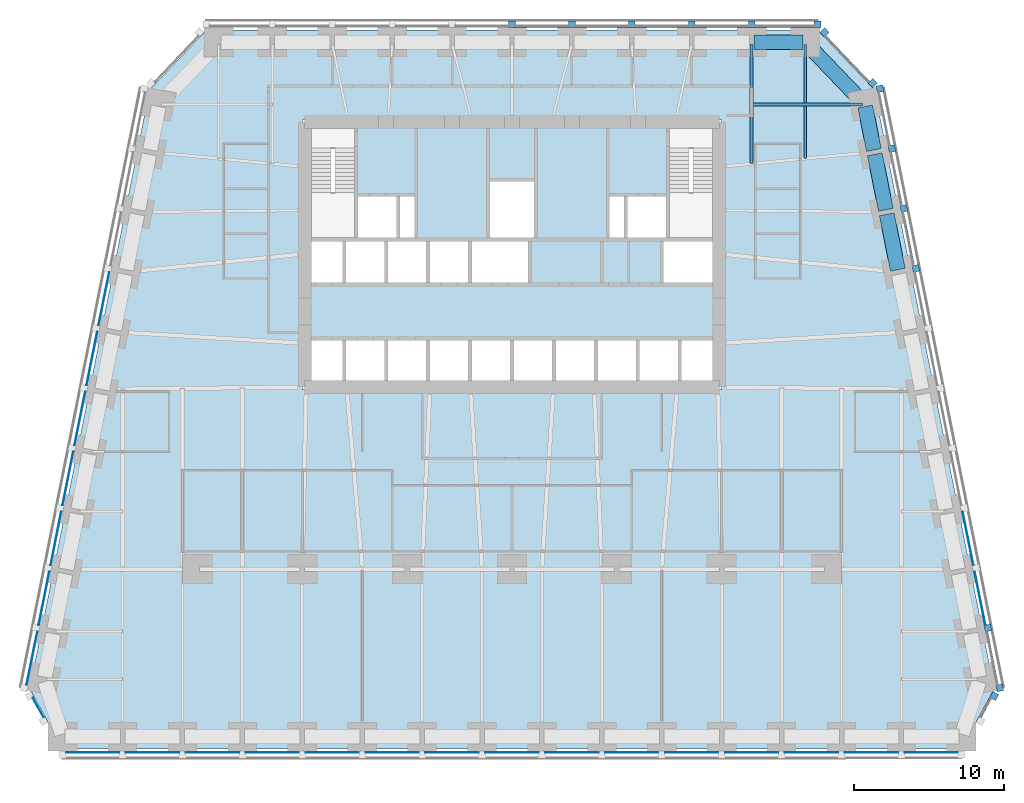
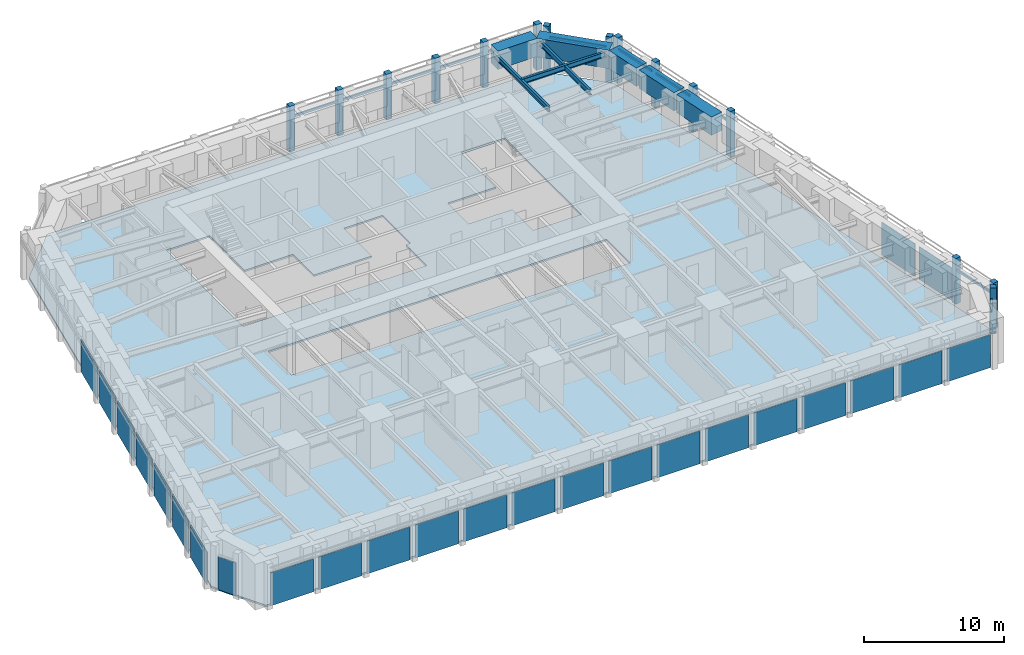
# One storey, part 4 of 10: 26 members, 25 plates, 8 beams, 1 slab, 7 elements without a shape of their own.
"""IFC4 building model written with IfcOpenShell, lengths in metres."""

from ifc_helpers import new_model, si_unit, direction, frame, origin, origin_2d, place, context, subcontext, project, spatial, polyline, rectangle, i_section, outline, extrude, material, layer, layer_set, material_profile, profile_set, type_object, element, aggregate, save


model = new_model("IFC4")

# Units and contexts
model_context = context("Model", 3, precision=1e-05, world=origin(), true_north=direction((0.0, 1.0)))
body_context = subcontext(model_context, "Body", "Model", "MODEL_VIEW")
ifc_project = project(units=[si_unit("LENGTHUNIT", "METRE"), si_unit("AREAUNIT", "SQUARE_METRE"), si_unit("VOLUMEUNIT", "CUBIC_METRE"), si_unit("PLANEANGLEUNIT", "RADIAN"), si_unit("MASSUNIT", "GRAM", prefix="KILO")], contexts=[model_context])

# Site, building, storey
site_placement = place(None, origin())
site = spatial("IfcSite", under=ifc_project, at=site_placement, CompositionType="ELEMENT")
building_placement = place(site_placement, origin())
building = spatial("IfcBuilding", under=site, at=building_placement, Name="Isbrekke Arena Tower", CompositionType="ELEMENT")
storey_placement = place(building_placement, frame((0.0, 0.0, 72.0)))
storey = spatial("IfcBuildingStorey", under=building, at=storey_placement, Name="L15", CompositionType="ELEMENT", Elevation=72.0)

# Beams
ifc_material_1 = material(Name="Steel S355", Category="steel")
ifc_material_profile_1 = material_profile(ifc_material_1, i_section(OverallWidth=0.18994140625, OverallDepth=0.449951171875, WebThickness=0.009521484375, FlangeThickness=0.0146484375, FilletRadius=0.02099609375, at=origin_2d()), Name="IPE 450")
ifc_profile_set_1 = profile_set([ifc_material_profile_1], Name="Steel S355")
beam_type_1 = type_object("IfcBeamType", Name="B2 IPE 450", PredefinedType="BEAM", material=ifc_profile_set_1)
beam_1_placement = place(storey_placement, frame((23.40283203125, 25.029296875, 3.625), z_axis=(-1.0, 0.0, 0.0), x_axis=(0.0, -1.0, 0.0)))
element("IfcBeam", 1, at=beam_1_placement, inside=storey, type_object=beam_type_1, Name="B2 beam E-E11 L15", PredefinedType="BEAM", context=body_context, shape_type="SweptSolid", body=[
    extrude(i_section(OverallWidth=0.18994140625, OverallDepth=0.449951171875, WebThickness=0.009521484375, FlangeThickness=0.0146484375, FilletRadius=0.02099609375, at=origin_2d()), origin(), (0.0, 0.0, 1.0), 7.40283203125),
])
ifc_material_2 = material(Name="Steel S355", Category="steel")
ifc_material_profile_2 = material_profile(ifc_material_2, i_section(OverallWidth=0.18994140625, OverallDepth=0.449951171875, WebThickness=0.009521484375, FlangeThickness=0.0146484375, FilletRadius=0.02099609375, at=origin_2d()), Name="IPE 450")
ifc_profile_set_2 = profile_set([ifc_material_profile_2], Name="Steel S355")
beam_type_2 = type_object("IfcBeamType", Name="B3 IPE 450", PredefinedType="BEAM", material=ifc_profile_set_2)
beam_2_placement = place(storey_placement, frame((19.574951171875, 29.02490234375, 3.625), z_axis=(0.0, -1.0, 0.0), x_axis=(1.0, 0.0, 0.0)))
element("IfcBeam", 2, at=beam_2_placement, inside=storey, type_object=beam_type_2, Name="B3 beam N-N01 L15", PredefinedType="BEAM", context=body_context, shape_type="SweptSolid", body=[
    extrude(i_section(OverallWidth=0.18994140625, OverallDepth=0.449951171875, WebThickness=0.009521484375, FlangeThickness=0.0146484375, FilletRadius=0.02099609375, at=origin_2d()), origin(), (0.0, 0.0, 1.0), 7.616943359375),
])
beam_3_placement = place(storey_placement, frame((16.0, 29.02490234375, 3.625), z_axis=(0.0, -1.0, 0.0), x_axis=(1.0, 0.0, 0.0)))
element("IfcBeam", 3, at=beam_3_placement, inside=storey, type_object=beam_type_2, Name="B3 beam N-N02 L15", PredefinedType="BEAM", context=body_context, shape_type="SweptSolid", body=[
    extrude(i_section(OverallWidth=0.18994140625, OverallDepth=0.449951171875, WebThickness=0.009521484375, FlangeThickness=0.0146484375, FilletRadius=0.02099609375, at=origin_2d()), origin(), (0.0, 0.0, 1.0), 7.961181640625),
])

# Curtain wall, member
ifc_material_3 = material(Name="Glazed aluminium curtain wall", Category="aluminium")
curtain_wall_type = type_object("IfcCurtainWallType", Name="CWL TOWER CURTAIN WALL LOW ZONE", PredefinedType="USERDEFINED", material=ifc_material_3)
curtain_wall_1_placement = place(storey_placement, origin())
curtain_wall_1 = element("IfcCurtainWall", 4, at=curtain_wall_1_placement, inside=storey, type_object=curtain_wall_type, Name="CWL curtain wall L15-SE", ObjectType="TOWER CURTAIN WALL LOW ZONE", PredefinedType="USERDEFINED")
ifc_material_4 = material(Name="Aluminium mullion, pale brick slip cladding", Category="masonry")
ifc_material_profile_3 = material_profile(ifc_material_4, rectangle(XDim=0.449951171875, YDim=0.449951171875, at=origin_2d()), Name="PIER 450X450")
ifc_profile_set_3 = profile_set([ifc_material_profile_3], Name="Aluminium mullion, pale brick slip cladding")
member_type_1 = type_object("IfcMemberType", Name="CWL-M PIER MULLION 450 x 450", PredefinedType="MULLION", material=ifc_profile_set_3)
member_1_placement = place(storey_placement, frame((32.195556640625, -14.47509765625, 0.0), z_axis=(0.0, 0.0, 1.0), x_axis=(0.481918749773, 0.876215908676, 0.0)))
member_1 = element("IfcMember", 5, at=member_1_placement, type_object=member_type_1, Name="CWL-M mullion 2", PredefinedType="MULLION", context=body_context, shape_type="SweptSolid", body=[
    extrude(rectangle(XDim=0.449951171875, YDim=0.449951171875, at=origin_2d()), origin(), (0.0, 0.0, 1.0), 4.0),
])

# Curtain wall, members
curtain_wall_2_placement = place(storey_placement, origin())
curtain_wall_2 = element("IfcCurtainWall", 6, at=curtain_wall_2_placement, inside=storey, type_object=curtain_wall_type, Name="CWL curtain wall L15-E", ObjectType="TOWER CURTAIN WALL LOW ZONE", PredefinedType="USERDEFINED")
member_2_placement = place(storey_placement, frame((32.567626953125, -13.926513671875, 0.0), z_axis=(0.0, 0.0, 1.0), x_axis=(-0.196116135138, 0.980580675691, 0.0)))
member_2 = element("IfcMember", 7, at=member_2_placement, type_object=member_type_1, Name="CWL-M mullion 1", PredefinedType="MULLION", context=body_context, shape_type="SweptSolid", body=[
    extrude(rectangle(XDim=0.449951171875, YDim=0.449951171875, at=origin_2d()), origin(), (0.0, 0.0, 1.0), 4.0),
])
member_3_placement = place(storey_placement, frame((31.767822265625, -9.926513671875, 0.0), z_axis=(0.0, 0.0, 1.0), x_axis=(-0.196116135138, 0.980580675691, 0.0)))
member_3 = element("IfcMember", 8, at=member_3_placement, type_object=member_type_1, Name="CWL-M mullion 2", PredefinedType="MULLION", context=body_context, shape_type="SweptSolid", body=[
    extrude(rectangle(XDim=0.449951171875, YDim=0.449951171875, at=origin_2d()), origin(), (0.0, 0.0, 1.0), 4.0),
])
member_4_placement = place(storey_placement, frame((26.9677734375, 14.073486328125, 0.0), z_axis=(0.0, 0.0, 1.0), x_axis=(-0.196116135138, 0.980580675691, 0.0)))
member_4 = element("IfcMember", 9, at=member_4_placement, type_object=member_type_1, Name="CWL-M mullion 8", PredefinedType="MULLION", context=body_context, shape_type="SweptSolid", body=[
    extrude(rectangle(XDim=0.449951171875, YDim=0.449951171875, at=origin_2d()), origin(), (0.0, 0.0, 1.0), 4.0),
])
member_5_placement = place(storey_placement, frame((26.167724609375, 18.073486328125, 0.0), z_axis=(0.0, 0.0, 1.0), x_axis=(-0.196116135138, 0.980580675691, 0.0)))
member_5 = element("IfcMember", 10, at=member_5_placement, type_object=member_type_1, Name="CWL-M mullion 9", PredefinedType="MULLION", context=body_context, shape_type="SweptSolid", body=[
    extrude(rectangle(XDim=0.449951171875, YDim=0.449951171875, at=origin_2d()), origin(), (0.0, 0.0, 1.0), 4.0),
])
member_6_placement = place(storey_placement, frame((25.36767578125, 22.073486328125, 0.0), z_axis=(0.0, 0.0, 1.0), x_axis=(-0.196116135138, 0.980580675691, 0.0)))
member_6 = element("IfcMember", 11, at=member_6_placement, type_object=member_type_1, Name="CWL-M mullion 10", PredefinedType="MULLION", context=body_context, shape_type="SweptSolid", body=[
    extrude(rectangle(XDim=0.449951171875, YDim=0.449951171875, at=origin_2d()), origin(), (0.0, 0.0, 1.0), 4.0),
])
member_7_placement = place(storey_placement, frame((24.567626953125, 26.073486328125, 0.0), z_axis=(0.0, 0.0, 1.0), x_axis=(-0.196116135138, 0.980580675691, 0.0)))
member_7 = element("IfcMember", 12, at=member_7_placement, type_object=member_type_1, Name="CWL-M mullion 11", PredefinedType="MULLION", context=body_context, shape_type="SweptSolid", body=[
    extrude(rectangle(XDim=0.449951171875, YDim=0.449951171875, at=origin_2d()), origin(), (0.0, 0.0, 1.0), 4.0),
])

curtain_wall_3_placement = place(storey_placement, origin())
curtain_wall_3 = element("IfcCurtainWall", 13, at=curtain_wall_3_placement, inside=storey, type_object=curtain_wall_type, Name="CWL curtain wall L15-EN", ObjectType="TOWER CURTAIN WALL LOW ZONE", PredefinedType="USERDEFINED")
member_8_placement = place(storey_placement, frame((24.08837890625, 26.444091796875, 0.0), z_axis=(0.0, 0.0, 1.0), x_axis=(-0.68874946192, 0.72499943359, 0.0)))
member_8 = element("IfcMember", 14, at=member_8_placement, type_object=member_type_1, Name="CWL-M mullion 1", PredefinedType="MULLION", context=body_context, shape_type="SweptSolid", body=[
    extrude(rectangle(XDim=0.449951171875, YDim=0.449951171875, at=origin_2d()), origin(), (0.0, 0.0, 1.0), 4.0),
])
member_9_placement = place(storey_placement, frame((20.86572265625, 29.83642578125, 0.0), z_axis=(0.0, 0.0, 1.0), x_axis=(-0.68874946192, 0.72499943359, 0.0)))
member_9 = element("IfcMember", 15, at=member_9_placement, type_object=member_type_1, Name="CWL-M mullion 2", PredefinedType="MULLION", context=body_context, shape_type="SweptSolid", body=[
    extrude(rectangle(XDim=0.449951171875, YDim=0.449951171875, at=origin_2d()), origin(), (0.0, 0.0, 1.0), 4.0),
])

curtain_wall_4_placement = place(storey_placement, origin())
curtain_wall_4 = element("IfcCurtainWall", 16, at=curtain_wall_4_placement, inside=storey, type_object=curtain_wall_type, Name="CWL curtain wall L15-N", ObjectType="TOWER CURTAIN WALL LOW ZONE", PredefinedType="USERDEFINED")
member_10_placement = place(storey_placement, frame((20.39990234375, 30.375, 0.0), z_axis=(0.0, 0.0, 1.0), x_axis=(-1.0, 0.0, 0.0)))
member_10 = element("IfcMember", 17, at=member_10_placement, type_object=member_type_1, Name="CWL-M mullion 1", PredefinedType="MULLION", context=body_context, shape_type="SweptSolid", body=[
    extrude(rectangle(XDim=0.449951171875, YDim=0.449951171875, at=origin_2d()), origin(), (0.0, 0.0, 1.0), 4.0),
])
member_11_placement = place(storey_placement, frame((16.0, 30.375, 0.0), z_axis=(0.0, 0.0, 1.0), x_axis=(-1.0, 0.0, 0.0)))
member_11 = element("IfcMember", 18, at=member_11_placement, type_object=member_type_1, Name="CWL-M mullion 2", PredefinedType="MULLION", context=body_context, shape_type="SweptSolid", body=[
    extrude(rectangle(XDim=0.449951171875, YDim=0.449951171875, at=origin_2d()), origin(), (0.0, 0.0, 1.0), 4.0),
])
member_12_placement = place(storey_placement, frame((12.0, 30.375, 0.0), z_axis=(0.0, 0.0, 1.0), x_axis=(-1.0, 0.0, 0.0)))
member_12 = element("IfcMember", 19, at=member_12_placement, type_object=member_type_1, Name="CWL-M mullion 3", PredefinedType="MULLION", context=body_context, shape_type="SweptSolid", body=[
    extrude(rectangle(XDim=0.449951171875, YDim=0.449951171875, at=origin_2d()), origin(), (0.0, 0.0, 1.0), 4.0),
])
member_13_placement = place(storey_placement, frame((8.0, 30.375, 0.0), z_axis=(0.0, 0.0, 1.0), x_axis=(-1.0, 0.0, 0.0)))
member_13 = element("IfcMember", 20, at=member_13_placement, type_object=member_type_1, Name="CWL-M mullion 4", PredefinedType="MULLION", context=body_context, shape_type="SweptSolid", body=[
    extrude(rectangle(XDim=0.449951171875, YDim=0.449951171875, at=origin_2d()), origin(), (0.0, 0.0, 1.0), 4.0),
])
member_14_placement = place(storey_placement, frame((4.0, 30.375, 0.0), z_axis=(0.0, 0.0, 1.0), x_axis=(-1.0, 0.0, 0.0)))
member_14 = element("IfcMember", 21, at=member_14_placement, type_object=member_type_1, Name="CWL-M mullion 5", PredefinedType="MULLION", context=body_context, shape_type="SweptSolid", body=[
    extrude(rectangle(XDim=0.449951171875, YDim=0.449951171875, at=origin_2d()), origin(), (0.0, 0.0, 1.0), 4.0),
])
member_15_placement = place(storey_placement, frame((0.0, 30.375, 0.0), z_axis=(0.0, 0.0, 1.0), x_axis=(-1.0, 0.0, 0.0)))
member_15 = element("IfcMember", 22, at=member_15_placement, type_object=member_type_1, Name="CWL-M mullion 6", PredefinedType="MULLION", context=body_context, shape_type="SweptSolid", body=[
    extrude(rectangle(XDim=0.449951171875, YDim=0.449951171875, at=origin_2d()), origin(), (0.0, 0.0, 1.0), 4.0),
])

# Member
ifc_material_5 = material(Name="Aluminium transom", Category="aluminium")
ifc_material_profile_4 = material_profile(ifc_material_5, rectangle(XDim=0.1201171875, YDim=0.199951171875, at=origin_2d()), Name="TRANSOM 120X200")
ifc_profile_set_4 = profile_set([ifc_material_profile_4], Name="Aluminium transom")
member_type_2 = type_object("IfcMemberType", Name="CWL-T TRANSOM 120 x 200", PredefinedType="USERDEFINED", material=ifc_profile_set_4)
member_16_placement = place(storey_placement, frame((31.277099609375, -15.88525390625, 3.0), z_axis=(0.481944543569, 0.876201721594, 0.0), x_axis=(-0.876201721594, 0.481944543569, 0.0)))
member_16 = element("IfcMember", 23, at=member_16_placement, type_object=member_type_2, Name="CWL-T transom 1", ObjectType="TRANSOM", PredefinedType="USERDEFINED", context=body_context, shape_type="SweptSolid", body=[
    extrude(rectangle(XDim=0.1201171875, YDim=0.199951171875, at=origin_2d()), origin(), (0.0, 0.0, 1.0), 1.453369140625),
])

aggregate(curtain_wall_1, [member_1, member_16])

member_17_placement = place(storey_placement, frame((32.401123046875, -13.730224609375, 3.0), z_axis=(-0.196167883278, 0.980570324643, 0.0), x_axis=(-0.980570324643, -0.196167883278, 0.0)))
member_17 = element("IfcMember", 24, at=member_17_placement, type_object=member_type_2, Name="CWL-T transom 1", ObjectType="TRANSOM", PredefinedType="USERDEFINED", context=body_context, shape_type="SweptSolid", body=[
    extrude(rectangle(XDim=0.1201171875, YDim=0.199951171875, at=origin_2d()), origin(), (0.0, 0.0, 1.0), 3.629150390625),
])

member_18_placement = place(storey_placement, frame((26.801025390625, 14.269775390625, 3.0), z_axis=(-0.196103197847, 0.98058326306, 0.0), x_axis=(-0.98058326306, -0.196103197847, 0.0)))
member_18 = element("IfcMember", 25, at=member_18_placement, type_object=member_type_2, Name="CWL-T transom 8", ObjectType="TRANSOM", PredefinedType="USERDEFINED", context=body_context, shape_type="SweptSolid", body=[
    extrude(rectangle(XDim=0.1201171875, YDim=0.199951171875, at=origin_2d()), origin(), (0.0, 0.0, 1.0), 3.629150390625),
])

member_19_placement = place(storey_placement, frame((26.0009765625, 18.269775390625, 3.0), z_axis=(-0.196103197847, 0.98058326306, 0.0), x_axis=(-0.98058326306, -0.196103197847, 0.0)))
member_19 = element("IfcMember", 26, at=member_19_placement, type_object=member_type_2, Name="CWL-T transom 9", ObjectType="TRANSOM", PredefinedType="USERDEFINED", context=body_context, shape_type="SweptSolid", body=[
    extrude(rectangle(XDim=0.1201171875, YDim=0.199951171875, at=origin_2d()), origin(), (0.0, 0.0, 1.0), 3.629150390625),
])

member_20_placement = place(storey_placement, frame((25.200927734375, 22.269775390625, 3.0), z_axis=(-0.196103197847, 0.98058326306, 0.0), x_axis=(-0.98058326306, -0.196103197847, 0.0)))
member_20 = element("IfcMember", 27, at=member_20_placement, type_object=member_type_2, Name="CWL-T transom 10", ObjectType="TRANSOM", PredefinedType="USERDEFINED", context=body_context, shape_type="SweptSolid", body=[
    extrude(rectangle(XDim=0.1201171875, YDim=0.199951171875, at=origin_2d()), origin(), (0.0, 0.0, 1.0), 3.629150390625),
])

member_21_placement = place(storey_placement, frame((23.8427734375, 26.521240234375, 3.0), z_axis=(-0.688776771287, 0.724973488712, 0.0), x_axis=(-0.724973488712, -0.688776771287, 0.0)))
member_21 = element("IfcMember", 28, at=member_21_placement, type_object=member_type_2, Name="CWL-T transom 1", ObjectType="TRANSOM", PredefinedType="USERDEFINED", context=body_context, shape_type="SweptSolid", body=[
    extrude(rectangle(XDim=0.1201171875, YDim=0.199951171875, at=origin_2d()), origin(), (0.0, 0.0, 1.0), 4.22900390625),
])

aggregate(curtain_wall_3, [member_8, member_9, member_21])

member_22_placement = place(storey_placement, frame((20.175048828125, 30.25, 3.0), z_axis=(-1.0, 0.0, 0.0), x_axis=(0.0, -1.0, 0.0)))
member_22 = element("IfcMember", 29, at=member_22_placement, type_object=member_type_2, Name="CWL-T transom 1", ObjectType="TRANSOM", PredefinedType="USERDEFINED", context=body_context, shape_type="SweptSolid", body=[
    extrude(rectangle(XDim=0.1201171875, YDim=0.199951171875, at=origin_2d()), origin(), (0.0, 0.0, 1.0), 3.949951171875),
])

member_23_placement = place(storey_placement, frame((15.77490234375, 30.25, 3.0), z_axis=(-1.0, 0.0, 0.0), x_axis=(0.0, -1.0, 0.0)))
member_23 = element("IfcMember", 30, at=member_23_placement, type_object=member_type_2, Name="CWL-T transom 2", ObjectType="TRANSOM", PredefinedType="USERDEFINED", context=body_context, shape_type="SweptSolid", body=[
    extrude(rectangle(XDim=0.1201171875, YDim=0.199951171875, at=origin_2d()), origin(), (0.0, 0.0, 1.0), 3.5498046875),
])

member_24_placement = place(storey_placement, frame((11.77490234375, 30.25, 3.0), z_axis=(-1.0, 0.0, 0.0), x_axis=(0.0, -1.0, 0.0)))
member_24 = element("IfcMember", 31, at=member_24_placement, type_object=member_type_2, Name="CWL-T transom 3", ObjectType="TRANSOM", PredefinedType="USERDEFINED", context=body_context, shape_type="SweptSolid", body=[
    extrude(rectangle(XDim=0.1201171875, YDim=0.199951171875, at=origin_2d()), origin(), (0.0, 0.0, 1.0), 3.5498046875),
])

member_25_placement = place(storey_placement, frame((7.77490234375, 30.25, 3.0), z_axis=(-1.0, 0.0, 0.0), x_axis=(0.0, -1.0, 0.0)))
member_25 = element("IfcMember", 32, at=member_25_placement, type_object=member_type_2, Name="CWL-T transom 4", ObjectType="TRANSOM", PredefinedType="USERDEFINED", context=body_context, shape_type="SweptSolid", body=[
    extrude(rectangle(XDim=0.1201171875, YDim=0.199951171875, at=origin_2d()), origin(), (0.0, 0.0, 1.0), 3.5498046875),
])

member_26_placement = place(storey_placement, frame((3.77490234375, 30.25, 3.0), z_axis=(-1.0, 0.0, 0.0), x_axis=(0.0, -1.0, 0.0)))
member_26 = element("IfcMember", 33, at=member_26_placement, type_object=member_type_2, Name="CWL-T transom 5", ObjectType="TRANSOM", PredefinedType="USERDEFINED", context=body_context, shape_type="SweptSolid", body=[
    extrude(rectangle(XDim=0.1201171875, YDim=0.199951171875, at=origin_2d()), origin(), (0.0, 0.0, 1.0), 3.5498046875),
])

aggregate(curtain_wall_4, [member_10, member_11, member_12, member_13, member_14, member_15, member_22, member_23, member_24, member_25, member_26])

# Beams
ifc_material_6 = material(Name="Concrete B90 (C90/105)", Category="concrete")
ifc_material_profile_5 = material_profile(ifc_material_6, rectangle(XDim=1.0, YDim=1.60009765625, at=origin_2d()), Name="RC 1000x1600")
ifc_profile_set_5 = profile_set([ifc_material_profile_5], Name="Concrete B90 (C90/105)")
beam_type_3 = type_object("IfcBeamType", Name="SB1 RC 1000 x 1600", PredefinedType="SPANDREL", material=ifc_profile_set_5)
for number, where, z_axis, x_axis, name in (
    (34, (25.76171875, 13.9853515625, 3.199951171875), (-0.196128558387, 0.980578190959, 0.0), (-0.980578190959, -0.196128558387, 0.0), "SB1 spandrel E08-E09 L15"),
    (35, (24.961669921875, 17.9853515625, 3.199951171875), (-0.196128558387, 0.980578190959, 0.0), (-0.980578190959, -0.196128558387, 0.0), "SB1 spandrel E09-E10 L15"),
):
    element("IfcBeam", number, at=place(storey_placement, frame(where, z_axis=z_axis, x_axis=x_axis)), inside=storey, type_object=beam_type_3, Name=name, PredefinedType="SPANDREL", context=body_context, shape_type="SweptSolid", body=[
        extrude(rectangle(XDim=1.0, YDim=1.60009765625, at=origin_2d()), origin(), (0.0, 0.0, 1.0), 3.779296875),
    ])
beam_4_placement = place(storey_placement, frame((24.16162109375, 21.9853515625, 3.199951171875), z_axis=(-0.196116135138, 0.980580675691, 0.0), x_axis=(-0.980580675691, -0.196116135138, 0.0)))
element("IfcBeam", 36, at=beam_4_placement, inside=storey, type_object=beam_type_3, Name="SB1 spandrel E10-E11 L15", PredefinedType="SPANDREL", context=body_context, shape_type="SweptSolid", body=[
    extrude(rectangle(XDim=1.0, YDim=1.60009765625, at=origin_2d()), origin(), (0.0, 0.0, 1.0), 2.9541015625),
])
beam_5_placement = place(storey_placement, frame((23.448974609375, 25.137451171875, 3.199951171875), z_axis=(-0.692339547635, 0.721571861134, 0.0), x_axis=(-0.721571861134, -0.692339547635, 0.0)))
element("IfcBeam", 37, at=beam_5_placement, inside=storey, type_object=beam_type_3, Name="SB1 spandrel E11-N01 L15", PredefinedType="SPANDREL", context=body_context, shape_type="SweptSolid", body=[
    extrude(rectangle(XDim=1.0, YDim=1.60009765625, at=origin_2d()), origin(), (0.0, 0.0, 1.0), 5.4453125),
])
beam_6_placement = place(storey_placement, frame((19.425048828125, 29.175048828125, 3.199951171875), z_axis=(-1.0, 0.0, 0.0), x_axis=(0.0, -1.0, 0.0)))
element("IfcBeam", 38, at=beam_6_placement, inside=storey, type_object=beam_type_3, Name="SB1 spandrel N01-N02 L15", PredefinedType="SPANDREL", context=body_context, shape_type="SweptSolid", body=[
    extrude(rectangle(XDim=1.0, YDim=1.60009765625, at=origin_2d()), origin(), (0.0, 0.0, 1.0), 3.275146484375),
])

# Curtain wall, plates
curtain_wall_5_placement = place(storey_placement, origin())
curtain_wall_5 = element("IfcCurtainWall", 39, at=curtain_wall_5_placement, inside=storey, type_object=curtain_wall_type, Name="CWL curtain wall L15-S", ObjectType="TOWER CURTAIN WALL LOW ZONE", PredefinedType="USERDEFINED")
ifc_material_7 = material(Name="Triple-glazed clear glass unit", Category="glass")
ifc_layer_1 = layer(ifc_material_7, 0.031982421875)
ifc_layer_set_1 = layer_set([ifc_layer_1], Name="CWL-P VISION PANEL")
plate_type = type_object("IfcPlateType", Name="CWL-P VISION PANEL", PredefinedType="CURTAIN_PANEL", material=ifc_layer_set_1)
plate_1_placement = place(storey_placement, frame((-28.0, -18.25, 0.02001953125), z_axis=(0.0, 0.0, 1.0), x_axis=(1.0, 0.0, 0.0)))
plate_1 = element("IfcPlate", 40, at=plate_1_placement, type_object=plate_type, Name="CWL-P panel 1", PredefinedType="CURTAIN_PANEL", context=body_context, shape_type="SweptSolid", body=[
    extrude(rectangle(XDim=3.550048828125, YDim=0.031982421875, at=origin_2d()), origin(), (0.0, 0.0, 1.0), 2.8798828125),
])
plate_2_placement = place(storey_placement, frame((-24.0, -18.25, 0.02001953125), z_axis=(0.0, 0.0, 1.0), x_axis=(1.0, 0.0, 0.0)))
plate_2 = element("IfcPlate", 41, at=plate_2_placement, type_object=plate_type, Name="CWL-P panel 2", PredefinedType="CURTAIN_PANEL", context=body_context, shape_type="SweptSolid", body=[
    extrude(rectangle(XDim=3.550048828125, YDim=0.031982421875, at=origin_2d()), origin(), (0.0, 0.0, 1.0), 2.8798828125),
])
plate_3_placement = place(storey_placement, frame((-20.0, -18.25, 0.02001953125), z_axis=(0.0, 0.0, 1.0), x_axis=(1.0, 0.0, 0.0)))
plate_3 = element("IfcPlate", 42, at=plate_3_placement, type_object=plate_type, Name="CWL-P panel 3", PredefinedType="CURTAIN_PANEL", context=body_context, shape_type="SweptSolid", body=[
    extrude(rectangle(XDim=3.550048828125, YDim=0.031982421875, at=origin_2d()), origin(), (0.0, 0.0, 1.0), 2.8798828125),
])
plate_4_placement = place(storey_placement, frame((-16.0, -18.25, 0.02001953125), z_axis=(0.0, 0.0, 1.0), x_axis=(1.0, 0.0, 0.0)))
plate_4 = element("IfcPlate", 43, at=plate_4_placement, type_object=plate_type, Name="CWL-P panel 4", PredefinedType="CURTAIN_PANEL", context=body_context, shape_type="SweptSolid", body=[
    extrude(rectangle(XDim=3.550048828125, YDim=0.031982421875, at=origin_2d()), origin(), (0.0, 0.0, 1.0), 2.8798828125),
])
plate_5_placement = place(storey_placement, frame((-12.0, -18.25, 0.02001953125), z_axis=(0.0, 0.0, 1.0), x_axis=(1.0, 0.0, 0.0)))
plate_5 = element("IfcPlate", 44, at=plate_5_placement, type_object=plate_type, Name="CWL-P panel 5", PredefinedType="CURTAIN_PANEL", context=body_context, shape_type="SweptSolid", body=[
    extrude(rectangle(XDim=3.550048828125, YDim=0.031982421875, at=origin_2d()), origin(), (0.0, 0.0, 1.0), 2.8798828125),
])
plate_6_placement = place(storey_placement, frame((-8.0, -18.25, 0.02001953125), z_axis=(0.0, 0.0, 1.0), x_axis=(1.0, 0.0, 0.0)))
plate_6 = element("IfcPlate", 45, at=plate_6_placement, type_object=plate_type, Name="CWL-P panel 6", PredefinedType="CURTAIN_PANEL", context=body_context, shape_type="SweptSolid", body=[
    extrude(rectangle(XDim=3.550048828125, YDim=0.031982421875, at=origin_2d()), origin(), (0.0, 0.0, 1.0), 2.8798828125),
])
plate_7_placement = place(storey_placement, frame((-4.0, -18.25, 0.02001953125), z_axis=(0.0, 0.0, 1.0), x_axis=(1.0, 0.0, 0.0)))
plate_7 = element("IfcPlate", 46, at=plate_7_placement, type_object=plate_type, Name="CWL-P panel 7", PredefinedType="CURTAIN_PANEL", context=body_context, shape_type="SweptSolid", body=[
    extrude(rectangle(XDim=3.550048828125, YDim=0.031982421875, at=origin_2d()), origin(), (0.0, 0.0, 1.0), 2.8798828125),
])
plate_8_placement = place(storey_placement, frame((0.0, -18.25, 0.02001953125), z_axis=(0.0, 0.0, 1.0), x_axis=(1.0, 0.0, 0.0)))
plate_8 = element("IfcPlate", 47, at=plate_8_placement, type_object=plate_type, Name="CWL-P panel 8", PredefinedType="CURTAIN_PANEL", context=body_context, shape_type="SweptSolid", body=[
    extrude(rectangle(XDim=3.550048828125, YDim=0.031982421875, at=origin_2d()), origin(), (0.0, 0.0, 1.0), 2.8798828125),
])
plate_9_placement = place(storey_placement, frame((4.0, -18.25, 0.02001953125), z_axis=(0.0, 0.0, 1.0), x_axis=(1.0, 0.0, 0.0)))
plate_9 = element("IfcPlate", 48, at=plate_9_placement, type_object=plate_type, Name="CWL-P panel 9", PredefinedType="CURTAIN_PANEL", context=body_context, shape_type="SweptSolid", body=[
    extrude(rectangle(XDim=3.550048828125, YDim=0.031982421875, at=origin_2d()), origin(), (0.0, 0.0, 1.0), 2.8798828125),
])
plate_10_placement = place(storey_placement, frame((8.0, -18.25, 0.02001953125), z_axis=(0.0, 0.0, 1.0), x_axis=(1.0, 0.0, 0.0)))
plate_10 = element("IfcPlate", 49, at=plate_10_placement, type_object=plate_type, Name="CWL-P panel 10", PredefinedType="CURTAIN_PANEL", context=body_context, shape_type="SweptSolid", body=[
    extrude(rectangle(XDim=3.550048828125, YDim=0.031982421875, at=origin_2d()), origin(), (0.0, 0.0, 1.0), 2.8798828125),
])
plate_11_placement = place(storey_placement, frame((12.0, -18.25, 0.02001953125), z_axis=(0.0, 0.0, 1.0), x_axis=(1.0, 0.0, 0.0)))
plate_11 = element("IfcPlate", 50, at=plate_11_placement, type_object=plate_type, Name="CWL-P panel 11", PredefinedType="CURTAIN_PANEL", context=body_context, shape_type="SweptSolid", body=[
    extrude(rectangle(XDim=3.550048828125, YDim=0.031982421875, at=origin_2d()), origin(), (0.0, 0.0, 1.0), 2.8798828125),
])
plate_12_placement = place(storey_placement, frame((16.0, -18.25, 0.02001953125), z_axis=(0.0, 0.0, 1.0), x_axis=(1.0, 0.0, 0.0)))
plate_12 = element("IfcPlate", 51, at=plate_12_placement, type_object=plate_type, Name="CWL-P panel 12", PredefinedType="CURTAIN_PANEL", context=body_context, shape_type="SweptSolid", body=[
    extrude(rectangle(XDim=3.550048828125, YDim=0.031982421875, at=origin_2d()), origin(), (0.0, 0.0, 1.0), 2.8798828125),
])
plate_13_placement = place(storey_placement, frame((20.0, -18.25, 0.02001953125), z_axis=(0.0, 0.0, 1.0), x_axis=(1.0, 0.0, 0.0)))
plate_13 = element("IfcPlate", 52, at=plate_13_placement, type_object=plate_type, Name="CWL-P panel 13", PredefinedType="CURTAIN_PANEL", context=body_context, shape_type="SweptSolid", body=[
    extrude(rectangle(XDim=3.550048828125, YDim=0.031982421875, at=origin_2d()), origin(), (0.0, 0.0, 1.0), 2.8798828125),
])
plate_14_placement = place(storey_placement, frame((24.0, -18.25, 0.02001953125), z_axis=(0.0, 0.0, 1.0), x_axis=(1.0, 0.0, 0.0)))
plate_14 = element("IfcPlate", 53, at=plate_14_placement, type_object=plate_type, Name="CWL-P panel 14", PredefinedType="CURTAIN_PANEL", context=body_context, shape_type="SweptSolid", body=[
    extrude(rectangle(XDim=3.550048828125, YDim=0.031982421875, at=origin_2d()), origin(), (0.0, 0.0, 1.0), 2.8798828125),
])
plate_15_placement = place(storey_placement, frame((28.0, -18.25, 0.02001953125), z_axis=(0.0, 0.0, 1.0), x_axis=(1.0, 0.0, 0.0)))
plate_15 = element("IfcPlate", 54, at=plate_15_placement, type_object=plate_type, Name="CWL-P panel 15", PredefinedType="CURTAIN_PANEL", context=body_context, shape_type="SweptSolid", body=[
    extrude(rectangle(XDim=3.550048828125, YDim=0.031982421875, at=origin_2d()), origin(), (0.0, 0.0, 1.0), 2.8798828125),
])
aggregate(curtain_wall_5, [plate_1, plate_2, plate_3, plate_4, plate_5, plate_6, plate_7, plate_8, plate_9, plate_10, plate_11, plate_12, plate_13, plate_14, plate_15])

# Plate
plate_16_placement = place(storey_placement, frame((31.2451171875, -7.950927734375, 0.02001953125), z_axis=(0.0, 0.0, 1.0), x_axis=(-0.196116135138, 0.980580675691, 0.0)))
plate_16 = element("IfcPlate", 55, at=plate_16_placement, type_object=plate_type, Name="CWL-P panel 2", PredefinedType="CURTAIN_PANEL", context=body_context, shape_type="SweptSolid", body=[
    extrude(rectangle(XDim=3.629150390625, YDim=0.031982421875, at=origin_2d()), origin(), (0.0, 0.0, 1.0), 2.8798828125),
])

plate_17_placement = place(storey_placement, frame((30.445068359375, -3.950927734375, 0.02001953125), z_axis=(0.0, 0.0, 1.0), x_axis=(-0.196116135138, 0.980580675691, 0.0)))
plate_17 = element("IfcPlate", 56, at=plate_17_placement, type_object=plate_type, Name="CWL-P panel 3", PredefinedType="CURTAIN_PANEL", context=body_context, shape_type="SweptSolid", body=[
    extrude(rectangle(XDim=3.629150390625, YDim=0.031982421875, at=origin_2d()), origin(), (0.0, 0.0, 1.0), 2.8798828125),
])

aggregate(curtain_wall_2, [member_2, member_3, member_4, member_5, member_6, member_7, member_17, plate_16, plate_17, member_18, member_19, member_20])

# Curtain wall, plates
curtain_wall_6_placement = place(storey_placement, origin())
curtain_wall_6 = element("IfcCurtainWall", 57, at=curtain_wall_6_placement, inside=storey, type_object=curtain_wall_type, Name="CWL curtain wall L15-W", ObjectType="TOWER CURTAIN WALL LOW ZONE", PredefinedType="USERDEFINED")
plate_18_placement = place(storey_placement, frame((-27.2451171875, 12.049072265625, 0.02001953125), z_axis=(0.0, 0.0, 1.0), x_axis=(-0.196116135138, -0.980580675691, 0.0)))
plate_18 = element("IfcPlate", 58, at=plate_18_placement, type_object=plate_type, Name="CWL-P panel 4", PredefinedType="CURTAIN_PANEL", context=body_context, shape_type="SweptSolid", body=[
    extrude(rectangle(XDim=3.629150390625, YDim=0.031982421875, at=origin_2d()), origin(), (0.0, 0.0, 1.0), 2.8798828125),
])
plate_19_placement = place(storey_placement, frame((-28.045166015625, 8.049072265625, 0.02001953125), z_axis=(0.0, 0.0, 1.0), x_axis=(-0.196116135138, -0.980580675691, 0.0)))
plate_19 = element("IfcPlate", 59, at=plate_19_placement, type_object=plate_type, Name="CWL-P panel 5", PredefinedType="CURTAIN_PANEL", context=body_context, shape_type="SweptSolid", body=[
    extrude(rectangle(XDim=3.629150390625, YDim=0.031982421875, at=origin_2d()), origin(), (0.0, 0.0, 1.0), 2.8798828125),
])
plate_20_placement = place(storey_placement, frame((-28.84521484375, 4.049072265625, 0.02001953125), z_axis=(0.0, 0.0, 1.0), x_axis=(-0.196116135138, -0.980580675691, 0.0)))
plate_20 = element("IfcPlate", 60, at=plate_20_placement, type_object=plate_type, Name="CWL-P panel 6", PredefinedType="CURTAIN_PANEL", context=body_context, shape_type="SweptSolid", body=[
    extrude(rectangle(XDim=3.629150390625, YDim=0.031982421875, at=origin_2d()), origin(), (0.0, 0.0, 1.0), 2.8798828125),
])
plate_21_placement = place(storey_placement, frame((-29.645263671875, 0.049072265625, 0.02001953125), z_axis=(0.0, 0.0, 1.0), x_axis=(-0.196116135138, -0.980580675691, 0.0)))
plate_21 = element("IfcPlate", 61, at=plate_21_placement, type_object=plate_type, Name="CWL-P panel 7", PredefinedType="CURTAIN_PANEL", context=body_context, shape_type="SweptSolid", body=[
    extrude(rectangle(XDim=3.629150390625, YDim=0.031982421875, at=origin_2d()), origin(), (0.0, 0.0, 1.0), 2.8798828125),
])
plate_22_placement = place(storey_placement, frame((-30.445068359375, -3.950927734375, 0.02001953125), z_axis=(0.0, 0.0, 1.0), x_axis=(-0.196116135138, -0.980580675691, 0.0)))
plate_22 = element("IfcPlate", 62, at=plate_22_placement, type_object=plate_type, Name="CWL-P panel 8", PredefinedType="CURTAIN_PANEL", context=body_context, shape_type="SweptSolid", body=[
    extrude(rectangle(XDim=3.629150390625, YDim=0.031982421875, at=origin_2d()), origin(), (0.0, 0.0, 1.0), 2.8798828125),
])
plate_23_placement = place(storey_placement, frame((-31.2451171875, -7.950927734375, 0.02001953125), z_axis=(0.0, 0.0, 1.0), x_axis=(-0.196116135138, -0.980580675691, 0.0)))
plate_23 = element("IfcPlate", 63, at=plate_23_placement, type_object=plate_type, Name="CWL-P panel 9", PredefinedType="CURTAIN_PANEL", context=body_context, shape_type="SweptSolid", body=[
    extrude(rectangle(XDim=3.629150390625, YDim=0.031982421875, at=origin_2d()), origin(), (0.0, 0.0, 1.0), 2.8798828125),
])
plate_24_placement = place(storey_placement, frame((-32.045166015625, -11.950927734375, 0.02001953125), z_axis=(0.0, 0.0, 1.0), x_axis=(-0.196116135138, -0.980580675691, 0.0)))
plate_24 = element("IfcPlate", 64, at=plate_24_placement, type_object=plate_type, Name="CWL-P panel 10", PredefinedType="CURTAIN_PANEL", context=body_context, shape_type="SweptSolid", body=[
    extrude(rectangle(XDim=3.629150390625, YDim=0.031982421875, at=origin_2d()), origin(), (0.0, 0.0, 1.0), 2.8798828125),
])
aggregate(curtain_wall_6, [plate_18, plate_19, plate_20, plate_21, plate_22, plate_23, plate_24])

# Curtain wall, plate
curtain_wall_7_placement = place(storey_placement, origin())
curtain_wall_7 = element("IfcCurtainWall", 65, at=curtain_wall_7_placement, inside=storey, type_object=curtain_wall_type, Name="CWL curtain wall L15-WS", ObjectType="TOWER CURTAIN WALL LOW ZONE", PredefinedType="USERDEFINED")
plate_25_placement = place(storey_placement, frame((-31.627197265625, -15.2490234375, 0.02001953125), z_axis=(0.0, 0.0, 1.0), x_axis=(0.481918749773, -0.876215908676, 0.0)))
plate_25 = element("IfcPlate", 66, at=plate_25_placement, type_object=plate_type, Name="CWL-P panel 1", PredefinedType="CURTAIN_PANEL", context=body_context, shape_type="SweptSolid", body=[
    extrude(rectangle(XDim=1.455322265625, YDim=0.031982421875, at=origin_2d()), origin(), (0.0, 0.0, 1.0), 2.8798828125),
])
aggregate(curtain_wall_7, [plate_25])

# Slab
ifc_material_8 = material(Name="Concrete B35 (C35/45)", Category="concrete")
ifc_layer_2 = layer(ifc_material_8, 0.14990234375)
ifc_layer_set_2 = layer_set([ifc_layer_2], Name="FS1 COMPOSITE FLOOR 150")
slab_type = type_object("IfcSlabType", Name="FS1 COMPOSITE FLOOR 150", PredefinedType="FLOOR", material=ifc_layer_set_2)
slab_placement = place(storey_placement, frame((0.0, 0.0, -0.14990234375)))
element("IfcSlab", 67, at=slab_placement, inside=storey, type_object=slab_type, Name="FS1 floor slab L15", PredefinedType="FLOOR", context=body_context, shape_type="SweptSolid", body=[
    extrude(outline(polyline([(-30.0, -18.0), (30.0, -18.0), (32.199951171875, -14.0), (24.199951171875, 26.0), (20.39990234375, 30.0), (-20.39990234375, 30.0), (-24.199951171875, 26.0), (-32.199951171875, -14.0), (-30.0, -18.0)]), holes=[polyline([(14.0, 9.39990234375), (14.0, 6.0), (-14.0, 6.0), (-14.0, 9.39990234375), (14.0, 9.39990234375)]), polyline([(-6.39990234375, 19.0), (-6.39990234375, 16.0), (-1.60009765625, 16.0), (-1.60009765625, 20.0), (1.60009765625, 20.0), (1.60009765625, 16.0), (1.199951171875, 16.0), (1.199951171875, 13.0), (-14.0, 13.0), (-14.0, 24.0), (-10.39990234375, 24.0), (-10.39990234375, 19.0), (-6.39990234375, 19.0)]), polyline([(10.0, 13.0), (10.0, 16.0), (6.39990234375, 16.0), (6.39990234375, 19.0), (10.39990234375, 19.0), (10.39990234375, 24.0), (14.0, 24.0), (14.0, 13.0), (10.0, 13.0)])]), origin(), (0.0, 0.0, 1.0), 0.14990234375),
])

save(model, "model.ifc")
